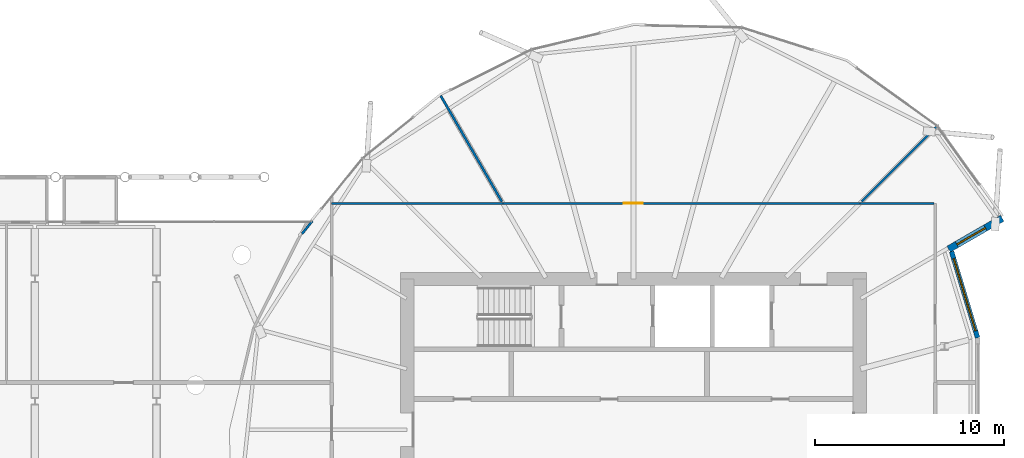
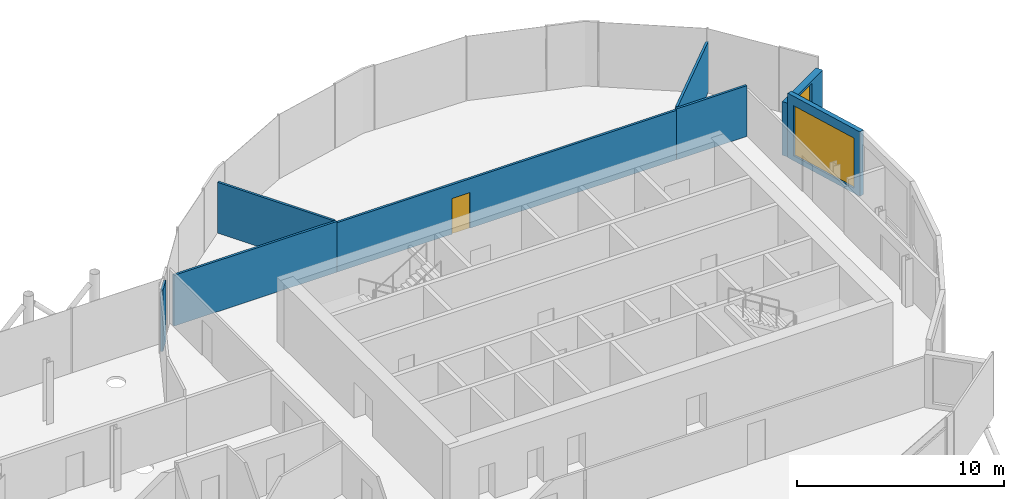
# One storey, part 28 of 39: 8 walls, 2 windows, 1 door, 3 openings.
"""IFC4 building model written with IfcOpenShell, lengths in metres."""

import ifcopenshell
import ifcopenshell.guid

model = None  # the IFC model being written
_history = None  # IfcOwnerHistory: only IFC2X3 demands one
_inside = {}  # id of a spatial element -> (the spatial element, [elements in it])
_under = {}  # id of a project, library or spatial element -> (it, [spatial elements below it])
_declared = {}  # id of a project -> (the project, [libraries it declares])
_typed = {}  # id of a type object -> (the type object, [elements of that type])
_made_of = {}  # id of a material, layer set ... -> (it, [elements and type objects made of it])


def new_model(schema):
    """Start an empty IFC model of exactly this schema.

    Asked for "IFC4X3", IfcOpenShell would pick the latest addendum, in which some entities
    have other attributes; the version numbers below select the first issue.
    IFC2X3 requires an IfcOwnerHistory on every rooted entity: one is made here for all.
    """
    global model, _history
    if schema == "IFC4X3":
        model = ifcopenshell.file(schema_version=(4, 3, 0, 0))
    else:
        model = ifcopenshell.file(schema=schema)
    _inside.clear()
    _under.clear()
    _declared.clear()
    _typed.clear()
    _made_of.clear()
    _history = None
    if model.schema == "IFC2X3":
        org = make("IfcOrganization", Name="unknown")
        user = make(
            "IfcPersonAndOrganization",
            ThePerson=make("IfcPerson", FamilyName="unknown"),
            TheOrganization=org,
        )
        app = make(
            "IfcApplication",
            ApplicationDeveloper=org,
            Version="unknown",
            ApplicationFullName="unknown",
            ApplicationIdentifier="unknown",
        )
        _history = make(
            "IfcOwnerHistory",
            OwningUser=user,
            OwningApplication=app,
            ChangeAction="ADDED",
            CreationDate=0,
        )
    return model


def make(cls, **values):
    """One entity of the class cls with the attributes given. An attribute that is None is left unset."""
    return model.create_entity(
        cls, **{name: value for name, value in values.items() if value is not None}
    )


def rooted(cls, **values):
    """An entity with a GlobalId (a new one), such as an element, a storey or a relation."""
    return make(cls, GlobalId=ifcopenshell.guid.new(), OwnerHistory=_history, **values)


def si_unit(unit_type, name, prefix=None):
    """IfcSIUnit, for example si_unit("LENGTHUNIT", "METRE", prefix="MILLI")."""
    return make("IfcSIUnit", UnitType=unit_type, Prefix=prefix, Name=name)


def assignment(units):
    """IfcUnitAssignment: the units of a project."""
    return None if units is None else make("IfcUnitAssignment", Units=units)


def point(xyz):
    """IfcCartesianPoint."""
    return None if xyz is None else make("IfcCartesianPoint", Coordinates=xyz)


def direction(xyz):
    """IfcDirection."""
    return None if xyz is None else make("IfcDirection", DirectionRatios=xyz)


def frame(location, z_axis=None, x_axis=None):
    """IfcAxis2Placement3D, a coordinate frame: its origin and axes. An axis left out is left unset."""
    return make(
        "IfcAxis2Placement3D",
        Location=point(location),
        Axis=direction(z_axis),
        RefDirection=direction(x_axis),
    )


def frame_2d(location, x_axis=None):
    """IfcAxis2Placement2D, a coordinate frame in the plane: its origin and x axis."""
    return make(
        "IfcAxis2Placement2D", Location=point(location), RefDirection=direction(x_axis)
    )


def origin():
    """The frame at (0, 0, 0) with its axes left unset."""
    return frame((0.0, 0.0, 0.0))


def place(relative_to, where):
    """IfcLocalPlacement: puts the frame where relative to a parent placement (None: the world)."""
    return make(
        "IfcLocalPlacement", PlacementRelTo=relative_to, RelativePlacement=where
    )


def context(
    kind, dimensions, precision=None, world=None, true_north=None, identifier=None
):
    """IfcGeometricRepresentationContext, for example the 3D "Model" context."""
    return make(
        "IfcGeometricRepresentationContext",
        ContextIdentifier=identifier,
        ContextType=kind,
        CoordinateSpaceDimension=dimensions,
        Precision=precision,
        WorldCoordinateSystem=world,
        TrueNorth=true_north,
    )


def subcontext(parent, identifier, kind, view, scale=None):
    """IfcGeometricRepresentationSubContext, for example "Body" below "Model"."""
    return make(
        "IfcGeometricRepresentationSubContext",
        ContextIdentifier=identifier,
        ContextType=kind,
        ParentContext=parent,
        TargetScale=scale,
        TargetView=view,
    )


def project(units=None, contexts=None):
    """IfcProject with its units and contexts."""
    return rooted(
        "IfcProject",
        Name="project",
        RepresentationContexts=contexts,
        UnitsInContext=assignment(units),
    )


def spatial(cls, under=None, at=None, **own):
    """A site, building, storey or space (cls), placed at a placement, below another one or the project."""
    s = rooted(cls, ObjectPlacement=at, **own)
    if under is not None:
        _under.setdefault(under.id(), (under, []))[1].append(s)
    return s


def profile(cls, at=None, kind="AREA", **sizes):
    """A parametric profile (cls). Its sizes go by their IFC names, for example OverallWidth=200.0."""
    return make(cls, ProfileType=kind, Position=at, **sizes)


def rectangle(**sizes):
    """IfcRectangleProfileDef."""
    return profile("IfcRectangleProfileDef", **sizes)


def extrude(swept, where, along, depth):
    """IfcExtrudedAreaSolid: the profile swept, set in the frame where, extruded along a direction by depth."""
    return make(
        "IfcExtrudedAreaSolid",
        SweptArea=swept,
        Position=where,
        ExtrudedDirection=direction(along),
        Depth=depth,
    )


def shape(context_of_items, identifier, shape_type, items):
    """IfcShapeRepresentation: the items that make up one representation, for example the "Body"."""
    return make(
        "IfcShapeRepresentation",
        ContextOfItems=context_of_items,
        RepresentationIdentifier=identifier,
        RepresentationType=shape_type,
        Items=items,
    )


def material(Name=None, Category=None):
    """IfcMaterial."""
    return make("IfcMaterial", Name=Name, Category=Category)


def layer(
    of_material, thickness, ventilated=None, Name=None, Category=None, Priority=None
):
    """IfcMaterialLayer: one layer of a wall or slab, of a material (None: an air gap)."""
    return make(
        "IfcMaterialLayer",
        Material=of_material,
        LayerThickness=thickness,
        IsVentilated=ventilated,
        Name=Name,
        Category=Category,
        Priority=Priority,
    )


def layer_set(layers, Name=None):
    """IfcMaterialLayerSet."""
    return make("IfcMaterialLayerSet", MaterialLayers=layers, LayerSetName=Name)


def made_of(thing, what):
    """Note that an element or type object is made of a material, layer set ...; save() writes the relation."""
    if what is not None:
        _made_of.setdefault(what.id(), (what, []))[1].append(thing)
    return thing


def type_object(cls, material=None, **own):
    """A type object (cls), such as IfcWallType, which elements share."""
    return made_of(rooted(cls, **own), material)


def element(
    cls,
    number,
    at=None,
    inside=None,
    cuts=None,
    type_object=None,
    material=None,
    context=None,
    identifier="Body",
    shape_type=None,
    held_by="IfcProductDefinitionShape",
    body=None,
    shapes=None,
    **own,
):
    """One element of the class cls, such as IfcWall. Its Tag is "e" and its number.

    at: its placement. inside: the storey or other place that contains it. cuts: it is an
    opening in that element (IfcRelVoidsElement). A single representation is given by context,
    identifier, shape_type and body (its items); several are given by shapes. held_by: the class
    of the entity that holds the representations. save() writes the other relations.
    """
    e = rooted(cls, Tag="e%d" % number, ObjectPlacement=at, **own)
    if body is not None:
        shapes = [shape(context, identifier, shape_type, body)]
    if shapes is not None:
        e.Representation = make(held_by, Representations=shapes)
    if inside is not None:
        _inside.setdefault(inside.id(), (inside, []))[1].append(e)
    if cuts is not None:
        rooted(
            "IfcRelVoidsElement", RelatingBuildingElement=cuts, RelatedOpeningElement=e
        )
    if type_object is not None:
        _typed.setdefault(type_object.id(), (type_object, []))[1].append(e)
    return made_of(e, material)


def fill(opening, filler):
    """IfcRelFillsElement: the door or window that sits in an opening."""
    return rooted(
        "IfcRelFillsElement",
        RelatingOpeningElement=opening,
        RelatedBuildingElement=filler,
    )


def aggregate(whole, parts):
    """IfcRelAggregates: a whole, such as a stair, and the parts it consists of."""
    return rooted("IfcRelAggregates", RelatingObject=whole, RelatedObjects=parts)


def save(model, path):
    """Write the relations noted so far, then the file.

    IfcRelAggregates (storeys below a building ...), IfcRelContainedInSpatialStructure (elements
    in a storey), IfcRelDefinesByType, IfcRelAssociatesMaterial and IfcRelDeclares: one each for
    every whole, place, type object, material and project.
    """
    for whole, parts in _under.values():
        aggregate(whole, parts)
    for where, things in _inside.values():
        rooted(
            "IfcRelContainedInSpatialStructure",
            RelatedElements=things,
            RelatingStructure=where,
        )
    for kind, things in _typed.values():
        rooted("IfcRelDefinesByType", RelatedObjects=things, RelatingType=kind)
    for what, things in _made_of.values():
        rooted("IfcRelAssociatesMaterial", RelatedObjects=things, RelatingMaterial=what)
    for by, libraries in _declared.values():
        rooted("IfcRelDeclares", RelatingContext=by, RelatedDefinitions=libraries)
    model.write(path)


model = new_model("IFC4")

# Units and contexts
model_context = context("Model", 3, precision=1e-05, world=origin(), true_north=direction((0.0, 1.0)))
body_context = subcontext(model_context, "Body", "Model", "MODEL_VIEW")
ifc_project = project(units=[si_unit("LENGTHUNIT", "METRE"), si_unit("AREAUNIT", "SQUARE_METRE"), si_unit("VOLUMEUNIT", "CUBIC_METRE"), si_unit("PLANEANGLEUNIT", "RADIAN"), si_unit("MASSUNIT", "GRAM", prefix="KILO")], contexts=[model_context])

# Site, building, storey
site_placement = place(None, origin())
site = spatial("IfcSite", under=ifc_project, at=site_placement, CompositionType="ELEMENT")
building_placement = place(site_placement, origin())
building = spatial("IfcBuilding", under=site, at=building_placement, Name="Rimbun Link Towers", CompositionType="ELEMENT")
storey_placement = place(building_placement, frame((0.0, 0.0, 139.199951171875)))
storey = spatial("IfcBuildingStorey", under=building, at=storey_placement, Name="L33", CompositionType="ELEMENT", Elevation=139.199951171875)

# Wall, opening, window
ifc_material_1 = material(Name="Dark enamelled glass spandrel on insulated aluminium backpan", Category="aluminium")
ifc_layer_1 = layer(ifc_material_1, 0.25)
ifc_layer_set_1 = layer_set([ifc_layer_1], Name="CS dark enamelled spandrel wall 250")
wall_type_1 = type_object("IfcWallType", Name="CS dark enamelled spandrel wall 250", PredefinedType="STANDARD", material=ifc_layer_set_1)
wall_1_placement = place(storey_placement, frame((48.616943359375, 9.449462890625, 0.0), z_axis=(0.0, 0.0, 1.0), x_axis=(0.289062898136, -0.957310106977, 0.0)))
wall_1 = element("IfcWall", 1, at=wall_1_placement, inside=storey, type_object=wall_type_1, Name="Crease spandrel wall", PredefinedType="STANDARD", context=body_context, shape_type="SweptSolid", body=[
    extrude(rectangle(XDim=4.77880859375, YDim=0.25, at=frame_2d((2.389404296875, 0.0))), origin(), (0.0, 0.0, 1.0), 3.800048828125),
])
opening_1_placement = place(wall_1_placement, frame((0.389404296875, 0.0, 0.300048828125)))
opening_1 = element("IfcOpeningElement", 2, at=opening_1_placement, cuts=wall_1, Name="Opening WR40H295", PredefinedType="OPENING", context=body_context, shape_type="SweptSolid", body=[
    extrude(rectangle(XDim=4.0, YDim=2.949951171875, at=frame_2d((2.0, 1.47509765625))), frame((0.0, 0.135009765625, 0.0), z_axis=(0.0, -1.0, 0.0), x_axis=(1.0, 0.0, 0.0)), (0.0, 0.0, 1.0), 0.27001953125),
])
ifc_material_2 = material(Name="Aluminium framed fixed window, dark tinted low-e glass", Category="aluminium")
window_type_1 = type_object("IfcWindowType", Name="WR ribbon window 4000X2950", PartitioningType="SINGLE_PANEL", PredefinedType="WINDOW", material=ifc_material_2)
window_1_placement = place(opening_1_placement, origin())
window_1 = element("IfcWindow", 3, at=window_1_placement, inside=storey, type_object=window_type_1, Name="Crease ribbon window", OverallHeight=2.949951171875, OverallWidth=4.0, PartitioningType="SINGLE_PANEL", PredefinedType="WINDOW", context=body_context, shape_type="SweptSolid", body=[
    extrude(rectangle(XDim=4.0, YDim=2.949951171875, at=frame_2d((2.0, 1.47509765625))), frame((0.0, 0.030029296875, 0.0), z_axis=(0.0, -1.0, 0.0), x_axis=(1.0, 0.0, 0.0)), (0.0, 0.0, 1.0), 0.06005859375),
])
fill(opening_1, window_1)

ifc_material_3 = material(Name="Dark enamelled glass spandrel on insulated aluminium backpan", Category="aluminium")
ifc_layer_2 = layer(ifc_material_3, 0.3701171875)
ifc_layer_set_2 = layer_set([ifc_layer_2], Name="CS dark enamelled spandrel wall 370")
wall_type_2 = type_object("IfcWallType", Name="CS dark enamelled spandrel wall 370", PredefinedType="STANDARD", material=ifc_layer_set_2)
wall_2_placement = place(storey_placement, frame((51.304443359375, 11.214599609375, 0.0), z_axis=(0.0, 0.0, 1.0), x_axis=(-0.866040564224, -0.499973740429, 0.0)))
wall_2 = element("IfcWall", 4, at=wall_2_placement, inside=storey, type_object=wall_type_2, Name="Crease spandrel wall", PredefinedType="STANDARD", context=body_context, shape_type="SweptSolid", body=[
    extrude(rectangle(XDim=3.280029296875, YDim=0.3701171875, at=frame_2d((1.64013671875, 0.0))), origin(), (0.0, 0.0, 1.0), 3.15673828125),
])
opening_2_placement = place(wall_2_placement, frame((1.031494140625, 0.0, 0.300048828125)))
opening_2 = element("IfcOpeningElement", 5, at=opening_2_placement, cuts=wall_2, Name="Opening WR18H270", PredefinedType="OPENING", context=body_context, shape_type="SweptSolid", body=[
    extrude(rectangle(XDim=1.75, YDim=2.699951171875, at=frame_2d((0.875, 1.35009765625))), frame((0.0, 0.195068359375, 0.0), z_axis=(0.0, -1.0, 0.0), x_axis=(1.0, 0.0, 0.0)), (0.0, 0.0, 1.0), 0.39013671875),
])
ifc_material_4 = material(Name="Aluminium framed fixed window, dark tinted low-e glass", Category="aluminium")
window_type_2 = type_object("IfcWindowType", Name="WR ribbon window 1750X2700", PartitioningType="SINGLE_PANEL", PredefinedType="WINDOW", material=ifc_material_4)
window_2_placement = place(opening_2_placement, origin())
window_2 = element("IfcWindow", 6, at=window_2_placement, inside=storey, type_object=window_type_2, Name="Crease ribbon window", OverallHeight=2.699951171875, OverallWidth=1.75, PartitioningType="SINGLE_PANEL", PredefinedType="WINDOW", context=body_context, shape_type="SweptSolid", body=[
    extrude(rectangle(XDim=1.75, YDim=2.699951171875, at=frame_2d((0.875, 1.35009765625))), frame((0.0, 0.030029296875, 0.0), z_axis=(0.0, -1.0, 0.0), x_axis=(1.0, 0.0, 0.0)), (0.0, 0.0, 1.0), 0.06005859375),
])
fill(opening_2, window_2)

# Wall
ifc_material_5 = material(Name="Gypsum board on steel studs", Category="steel")
ifc_layer_3 = layer(ifc_material_5, 0.125)
ifc_layer_set_3 = layer_set([ifc_layer_3], Name="Partition 125 board on studs")
wall_type_3 = type_object("IfcWallType", Name="Partition 125 board on studs", PredefinedType="PARTITIONING", material=ifc_layer_set_3)
wall_3_placement = place(storey_placement, frame((47.6875, 12.0, 0.0), z_axis=(0.0, 0.0, 1.0), x_axis=(-1.0, 0.0, 0.0)))
element("IfcWall", 7, at=wall_3_placement, inside=storey, type_object=wall_type_3, Name="TW/PW/L33/043", PredefinedType="PARTITIONING", context=body_context, shape_type="SweptSolid", body=[
    extrude(rectangle(XDim=3.9375, YDim=0.125, at=frame_2d((1.96875, 0.0))), origin(), (0.0, 0.0, 1.0), 2.9970703125),
])

# Wall, opening, door
wall_4_placement = place(storey_placement, frame((43.75, 12.0, 0.0), z_axis=(0.0, 0.0, 1.0), x_axis=(-1.0, 0.0, 0.0)))
wall_4 = element("IfcWall", 8, at=wall_4_placement, inside=storey, type_object=wall_type_3, Name="TW/PW/L33/044", PredefinedType="PARTITIONING", context=body_context, shape_type="SweptSolid", body=[
    extrude(rectangle(XDim=18.92822265625, YDim=0.125, at=frame_2d((9.464111328125, 0.0))), origin(), (0.0, 0.0, 1.0), 2.9169921875),
])
opening_3_placement = place(wall_4_placement, frame((11.51806640625, 0.0, 0.0)))
opening_3 = element("IfcOpeningElement", 9, at=opening_3_placement, cuts=wall_4, Name="Opening TW D33.15", PredefinedType="OPENING", context=body_context, shape_type="SweptSolid", body=[
    extrude(rectangle(XDim=1.0, YDim=2.10009765625, at=frame_2d((0.5, 1.050048828125))), frame((0.0, 0.072509765625, 0.0), z_axis=(0.0, -1.0, 0.0), x_axis=(1.0, 0.0, 0.0)), (0.0, 0.0, 1.0), 0.14501953125),
])
ifc_material_6 = material(Name="Timber door set", Category="wood")
door_type = type_object("IfcDoorType", Name="Door single leaf 1000 x 2100", OperationType="NOTDEFINED", PredefinedType="DOOR", material=ifc_material_6)
door_placement = place(opening_3_placement, origin())
door = element("IfcDoor", 10, at=door_placement, inside=storey, type_object=door_type, Name="TW/DR/L33/015", OperationType="SINGLE_SWING_RIGHT", OverallHeight=2.10009765625, OverallWidth=1.0, PredefinedType="DOOR", context=body_context, shape_type="SweptSolid", body=[
    extrude(rectangle(XDim=1.0, YDim=2.10009765625, at=frame_2d((0.5, 1.050048828125))), frame((0.0, 0.02490234375, 0.0), z_axis=(0.0, -1.0, 0.0), x_axis=(1.0, 0.0, 0.0)), (0.0, 0.0, 1.0), 0.050048828125),
])
fill(opening_3, door)

# Walls
wall_5_placement = place(storey_placement, frame((24.82177734375, 12.0, 0.0), z_axis=(0.0, 0.0, 1.0), x_axis=(-1.0, 0.0, 0.0)))
element("IfcWall", 11, at=wall_5_placement, inside=storey, type_object=wall_type_3, Name="TW/PW/L33/046", PredefinedType="PARTITIONING", context=body_context, shape_type="SweptSolid", body=[
    extrude(rectangle(XDim=9.086669921875, YDim=0.125, at=frame_2d((4.54345703125, 0.0))), origin(), (0.0, 0.0, 1.0), 2.9970703125),
])
wall_6_placement = place(storey_placement, frame((47.895751953125, 16.145751953125, 0.0), z_axis=(0.0, 0.0, 1.0), x_axis=(-0.707106781187, -0.707106781187, 0.0)))
element("IfcWall", 12, at=wall_6_placement, inside=storey, type_object=wall_type_3, Name="TW/PW/L33/056", PredefinedType="PARTITIONING", context=body_context, shape_type="SweptSolid", body=[
    extrude(rectangle(XDim=5.712158203125, YDim=0.125, at=frame_2d((2.85595703125, 0.0))), origin(), (0.0, 0.0, 1.0), 2.9970703125),
])
wall_7_placement = place(storey_placement, frame((21.5224609375, 17.714599609375, 0.0), z_axis=(0.0, 0.0, 1.0), x_axis=(0.499990541991, -0.866030864299, 0.0)))
element("IfcWall", 13, at=wall_7_placement, inside=storey, type_object=wall_type_3, Name="TW/PW/L33/057", PredefinedType="PARTITIONING", context=body_context, shape_type="SweptSolid", body=[
    extrude(rectangle(XDim=6.490478515625, YDim=0.125, at=frame_2d((3.2451171875, 0.0))), origin(), (0.0, 0.0, 1.0), 2.9970703125),
])
wall_8_placement = place(storey_placement, frame((14.7109375, 11.062255859375, 0.0), z_axis=(0.0, 0.0, 1.0), x_axis=(-0.629018324311, -0.777390473109, 0.0)))
element("IfcWall", 14, at=wall_8_placement, inside=storey, type_object=wall_type_3, Name="TW/PW/L33/059", PredefinedType="PARTITIONING", context=body_context, shape_type="SweptSolid", body=[
    extrude(rectangle(XDim=0.85888671875, YDim=0.125, at=frame_2d((0.429443359375, 0.0))), origin(), (0.0, 0.0, 1.0), 3.6201171875),
])

save(model, "model.ifc")
